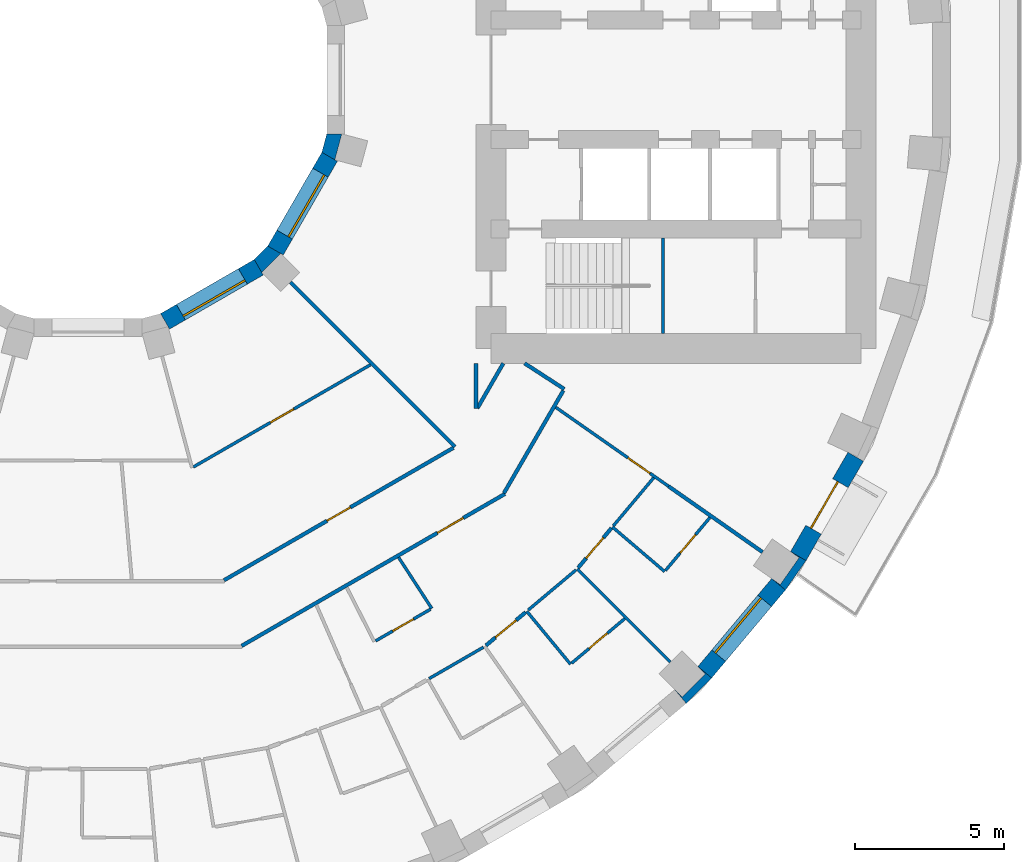
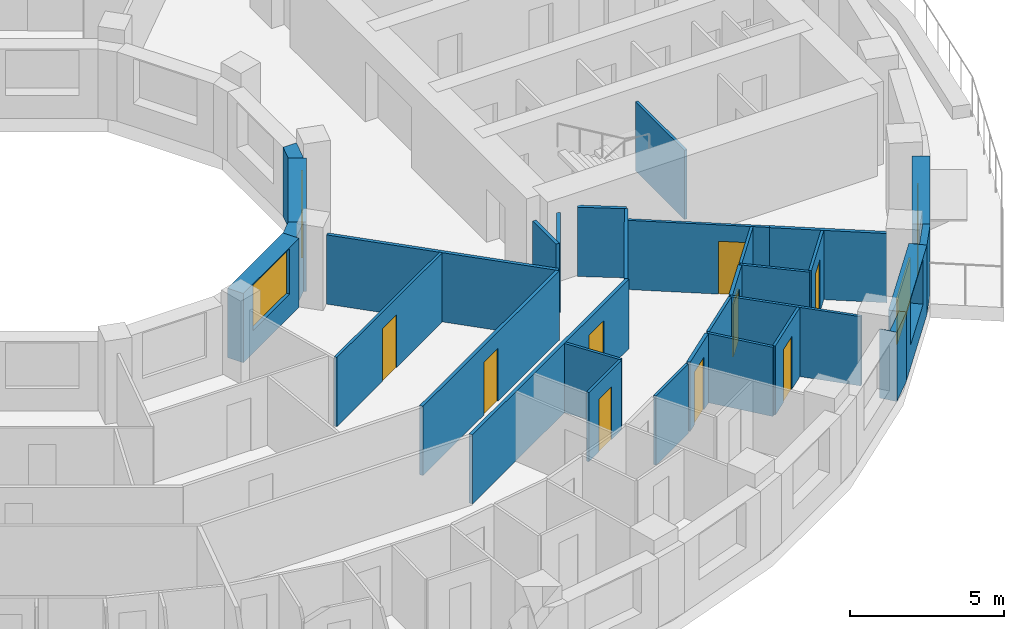
# One storey, part 6 of 14: 31 walls, 10 doors, 3 windows, 13 openings.
"""IFC4 building model written with IfcOpenShell, lengths in metres."""

from ifc_helpers import new_model, si_unit, direction, frame, frame_2d, origin, place, context, subcontext, project, spatial, polyline, rectangle, outline, extrude, material, layer, layer_set, type_object, element, fill, save


model = new_model("IFC4")

# Units and contexts
model_context = context("Model", 3, precision=1e-05, world=origin(), true_north=direction((0.0, 1.0)))
body_context = subcontext(model_context, "Body", "Model", "MODEL_VIEW")
ifc_project = project(units=[si_unit("LENGTHUNIT", "METRE"), si_unit("AREAUNIT", "SQUARE_METRE"), si_unit("VOLUMEUNIT", "CUBIC_METRE"), si_unit("PLANEANGLEUNIT", "RADIAN"), si_unit("MASSUNIT", "GRAM", prefix="KILO")], contexts=[model_context])

# Site, building, storey
site_placement = place(None, origin())
site = spatial("IfcSite", under=ifc_project, at=site_placement, CompositionType="ELEMENT")
building_placement = place(site_placement, origin())
building = spatial("IfcBuilding", under=site, at=building_placement, Name="Saqina Gate Tower", CompositionType="ELEMENT")
storey_placement = place(building_placement, frame((0.0, 0.0, 52.699951171875)))
storey = spatial("IfcBuildingStorey", under=building, at=storey_placement, Name="L14", CompositionType="ELEMENT", Elevation=52.699951171875)

# Walls
ifc_material_1 = material(Name="Brick masonry (red)", Category="masonry")
wall_type_1 = type_object("IfcWallType", Name="BRICK PIER COPING RED", PredefinedType="SOLIDWALL", material=ifc_material_1)
wall_1_placement = place(storey_placement, origin())
element("IfcWall", 1, at=wall_1_placement, inside=storey, type_object=wall_type_1, Name="Pier cap L14 column 32", PredefinedType="SOLIDWALL", context=body_context, shape_type="SweptSolid", body=[
    extrude(outline(polyline([(20.894775390625, -20.04296875), (20.43505859375, -19.6572265625), (20.682861328125, -19.905029296875), (19.905029296875, -20.682861328125), (19.6572265625, -20.43505859375), (20.04296875, -20.894775390625), (20.894775390625, -20.04296875)])), origin(), (0.0, 0.0, 1.0), 2.75),
])
wall_2_placement = place(storey_placement, origin())
element("IfcWall", 2, at=wall_2_placement, inside=storey, type_object=wall_type_1, Name="Pier cap L14 column 33", PredefinedType="SOLIDWALL", context=body_context, shape_type="SweptSolid", body=[
    extrude(outline(polyline([(23.36669921875, -17.096923828125), (24.0576171875, -16.110107421875), (23.5380859375, -15.81005859375), (23.8251953125, -16.010986328125), (23.194091796875, -16.912109375), (22.9072265625, -16.711181640625), (23.36669921875, -17.096923828125)])), origin(), (0.0, 0.0, 1.0), 2.75),
])

# Wall, opening, window
ifc_material_2 = material(Name="Brick masonry (red)", Category="masonry")
ifc_layer_1 = layer(ifc_material_2, 0.60009765625)
ifc_layer_set_1 = layer_set([ifc_layer_1], Name="FW-BRICK-RED")
wall_type_2 = type_object("IfcWallType", Name="FW-BRICK-RED", PredefinedType="SOLIDWALL", material=ifc_layer_set_1)
wall_3_placement = place(storey_placement, frame((20.664794921875, -19.85009765625, 0.0), z_axis=(0.0, 0.0, 1.0), x_axis=(0.642809392687, 0.766026164483, 0.0)))
wall_3 = element("IfcWall", 3, at=wall_3_placement, inside=storey, type_object=wall_type_2, Name="Facade wall L14 facet 32", PredefinedType="SOLIDWALL", context=body_context, shape_type="SweptSolid", body=[
    extrude(rectangle(XDim=3.845947265625, YDim=0.60009765625, at=frame_2d((1.9228515625, 0.0))), origin(), (0.0, 0.0, 1.0), 2.75),
])
opening_1_placement = place(wall_3_placement, frame((0.722900390625, 0.0, 0.89990234375)))
opening_1 = element("IfcOpeningElement", 4, at=opening_1_placement, cuts=wall_3, Name="Opening G03-W25", PredefinedType="OPENING", context=body_context, shape_type="SweptSolid", body=[
    extrude(rectangle(XDim=2.39990234375, YDim=1.800048828125, at=frame_2d((1.199951171875, 0.89990234375))), frame((0.0, 0.31201171875, 0.0), z_axis=(0.0, -1.0, 0.0), x_axis=(1.0, 0.0, 0.0)), (0.0, 0.0, 1.0), 0.6240234375),
])
ifc_material_3 = material(Name="Aluminium glazing", Category="aluminium")
window_type_1 = type_object("IfcWindowType", Name="WN-A", PartitioningType="SINGLE_PANEL", PredefinedType="WINDOW", material=ifc_material_3)
window_1_placement = place(opening_1_placement, origin())
window_1 = element("IfcWindow", 5, at=window_1_placement, inside=storey, type_object=window_type_1, Name="Window L14 facet 32", OverallHeight=1.800048828125, OverallWidth=2.39990234375, PartitioningType="SINGLE_PANEL", PredefinedType="WINDOW", context=body_context, shape_type="SweptSolid", body=[
    extrude(rectangle(XDim=2.39990234375, YDim=1.800048828125, at=frame_2d((1.199951171875, 0.89990234375))), frame((0.0, 0.179931640625, 0.0), z_axis=(0.0, -1.0, 0.0), x_axis=(1.0, 0.0, 0.0)), (0.0, 0.0, 1.0), 0.06005859375),
])
fill(opening_1, window_1)

# Wall, opening, door
wall_4_placement = place(storey_placement, frame((23.7978515625, -15.960205078125, 0.0), z_axis=(0.0, 0.0, 1.0), x_axis=(0.499989888488, 0.86603124159, 0.0)))
wall_4 = element("IfcWall", 6, at=wall_4_placement, inside=storey, type_object=wall_type_2, Name="Facade wall L14 facet 33", PredefinedType="SOLIDWALL", context=body_context, shape_type="SweptSolid", body=[
    extrude(rectangle(XDim=3.845703125, YDim=0.60009765625, at=frame_2d((1.9228515625, 0.0))), origin(), (0.0, 0.0, 1.0), 2.75),
])
opening_2_placement = place(wall_4_placement, frame((1.02294921875, 0.0, 0.0)))
opening_2 = element("IfcOpeningElement", 7, at=opening_2_placement, cuts=wall_4, Name="Opening G03-D80", PredefinedType="OPENING", context=body_context, shape_type="SweptSolid", body=[
    extrude(rectangle(XDim=1.800048828125, YDim=2.39990234375, at=frame_2d((0.89990234375, 1.199951171875))), frame((0.0, 0.31201171875, 0.0), z_axis=(0.0, -1.0, 0.0), x_axis=(1.0, 0.0, 0.0)), (0.0, 0.0, 1.0), 0.6240234375),
])
ifc_material_4 = material(Name="Aluminium glazing", Category="aluminium")
door_type_1 = type_object("IfcDoorType", Name="GD-A", OperationType="DOUBLE_DOOR_SINGLE_SWING", PredefinedType="DOOR", material=ifc_material_4)
door_1_placement = place(opening_2_placement, frame((1.800048828125, 0.0, 0.0), z_axis=(0.0, 0.0, 1.0), x_axis=(-1.0, 0.0, 0.0)))
door_1 = element("IfcDoor", 8, at=door_1_placement, inside=storey, type_object=door_type_1, Name="Terrace door L14 facet 33", OperationType="DOUBLE_DOOR_SINGLE_SWING", OverallHeight=2.39990234375, OverallWidth=1.800048828125, PredefinedType="DOOR", context=body_context, shape_type="SweptSolid", body=[
    extrude(rectangle(XDim=1.800048828125, YDim=2.39990234375, at=frame_2d((0.89990234375, 1.199951171875))), frame((0.0, -0.0751953125, 0.0), z_axis=(0.0, -1.0, 0.0), x_axis=(1.0, 0.0, 0.0)), (0.0, 0.0, 1.0), 0.050048828125),
])
fill(opening_2, door_1)

# Wall, opening, window
ifc_material_5 = material(Name="Glazed ceramic tile", Category="ceramic")
ifc_layer_2 = layer(ifc_material_5, 0.60009765625)
ifc_layer_set_2 = layer_set([ifc_layer_2], Name="IW-TILE")
wall_type_3 = type_object("IfcWallType", Name="IW-TILE", PredefinedType="SOLIDWALL", material=ifc_layer_set_2)
wall_5_placement = place(storey_placement, frame((2.580322265625, -8.09423828125, 0.0), z_axis=(0.0, 0.0, 1.0), x_axis=(0.866029693906, 0.499992569217, 0.0)))
wall_5 = element("IfcWall", 9, at=wall_5_placement, inside=storey, type_object=wall_type_3, Name="Well wall L14 facet 10", PredefinedType="SOLIDWALL", context=body_context, shape_type="SweptSolid", body=[
    extrude(rectangle(XDim=3.625, YDim=0.60009765625, at=frame_2d((1.8125, 0.0))), origin(), (0.0, 0.0, 1.0), 2.75),
])
opening_3_placement = place(wall_5_placement, frame((0.612548828125, 0.0, 0.89990234375)))
opening_3 = element("IfcOpeningElement", 10, at=opening_3_placement, cuts=wall_5, Name="Opening G03-W35", PredefinedType="OPENING", context=body_context, shape_type="SweptSolid", body=[
    extrude(rectangle(XDim=2.39990234375, YDim=1.800048828125, at=frame_2d((1.199951171875, 0.89990234375))), frame((0.0, 0.31201171875, 0.0), z_axis=(0.0, -1.0, 0.0), x_axis=(1.0, 0.0, 0.0)), (0.0, 0.0, 1.0), 0.6240234375),
])
ifc_material_6 = material(Name="Aluminium glazing", Category="aluminium")
window_type_2 = type_object("IfcWindowType", Name="WN-W", PartitioningType="SINGLE_PANEL", PredefinedType="WINDOW", material=ifc_material_6)
window_2_placement = place(opening_3_placement, origin())
window_2 = element("IfcWindow", 11, at=window_2_placement, inside=storey, type_object=window_type_2, Name="Well window L14 facet 10", OverallHeight=1.800048828125, OverallWidth=2.39990234375, PartitioningType="SINGLE_PANEL", PredefinedType="WINDOW", context=body_context, shape_type="SweptSolid", body=[
    extrude(rectangle(XDim=2.39990234375, YDim=1.800048828125, at=frame_2d((1.199951171875, 0.89990234375))), frame((0.0, -0.119873046875, 0.0), z_axis=(0.0, -1.0, 0.0), x_axis=(1.0, 0.0, 0.0)), (0.0, 0.0, 1.0), 0.06005859375),
])
fill(opening_3, window_2)

wall_6_placement = place(storey_placement, frame((6.28173828125, -5.7197265625, 0.0), z_axis=(0.0, 0.0, 1.0), x_axis=(0.499992569217, 0.866029693906, 0.0)))
wall_6 = element("IfcWall", 12, at=wall_6_placement, inside=storey, type_object=wall_type_3, Name="Well wall L14 facet 11", PredefinedType="SOLIDWALL", context=body_context, shape_type="SweptSolid", body=[
    extrude(rectangle(XDim=3.625, YDim=0.60009765625, at=frame_2d((1.8125, 0.0))), origin(), (0.0, 0.0, 1.0), 2.75),
])
opening_4_placement = place(wall_6_placement, frame((0.612548828125, 0.0, 0.89990234375)))
opening_4 = element("IfcOpeningElement", 13, at=opening_4_placement, cuts=wall_6, Name="Opening G03-W36", PredefinedType="OPENING", context=body_context, shape_type="SweptSolid", body=[
    extrude(rectangle(XDim=2.39990234375, YDim=1.800048828125, at=frame_2d((1.199951171875, 0.89990234375))), frame((0.0, 0.31201171875, 0.0), z_axis=(0.0, -1.0, 0.0), x_axis=(1.0, 0.0, 0.0)), (0.0, 0.0, 1.0), 0.6240234375),
])
window_3_placement = place(opening_4_placement, origin())
window_3 = element("IfcWindow", 14, at=window_3_placement, inside=storey, type_object=window_type_2, Name="Well window L14 facet 11", OverallHeight=1.800048828125, OverallWidth=2.39990234375, PartitioningType="SINGLE_PANEL", PredefinedType="WINDOW", context=body_context, shape_type="SweptSolid", body=[
    extrude(rectangle(XDim=2.39990234375, YDim=1.800048828125, at=frame_2d((1.199951171875, 0.89990234375))), frame((0.0, -0.119873046875, 0.0), z_axis=(0.0, -1.0, 0.0), x_axis=(1.0, 0.0, 0.0)), (0.0, 0.0, 1.0), 0.06005859375),
])
fill(opening_4, window_3)

# Walls
ifc_material_7 = material(Name="Gypsum board on steel studs, 100 mm", Category="steel")
ifc_layer_3 = layer(ifc_material_7, 0.10009765625)
ifc_layer_set_3 = layer_set([ifc_layer_3], Name="PARTITION 100")
wall_type_4 = type_object("IfcWallType", Name="PARTITION 100", PredefinedType="PARTITIONING", material=ifc_layer_set_3)
wall_7_placement = place(storey_placement, frame((10.406005859375, -16.00341796875, 0.0), z_axis=(0.0, 0.0, 1.0), x_axis=(0.545026202076, -0.838419011623, 0.0)))
element("IfcWall", 15, at=wall_7_placement, inside=storey, type_object=wall_type_4, Name="PARTITION PW3-23", PredefinedType="PARTITIONING", context=body_context, shape_type="SweptSolid", body=[
    extrude(rectangle(XDim=2.040283203125, YDim=0.10009765625, at=frame_2d((1.02001953125, 0.0))), origin(), (0.0, 0.0, 1.0), 2.75),
])
wall_8_placement = place(storey_placement, frame((14.699951171875, -17.806884765625, 0.0), z_axis=(0.0, 0.0, 1.0), x_axis=(0.636700344293, -0.771111322428, 0.0)))
element("IfcWall", 16, at=wall_8_placement, inside=storey, type_object=wall_type_4, Name="PARTITION PW3-27", PredefinedType="PARTITIONING", context=body_context, shape_type="SweptSolid", body=[
    extrude(rectangle(XDim=2.299560546875, YDim=0.10009765625, at=frame_2d((1.14990234375, 0.0))), origin(), (0.0, 0.0, 1.0), 2.75),
])
wall_9_placement = place(storey_placement, frame((16.388916015625, -16.388916015625, 0.0), z_axis=(0.0, 0.0, 1.0), x_axis=(0.707106781187, -0.707106781187, 0.0)))
element("IfcWall", 17, at=wall_9_placement, inside=storey, type_object=wall_type_4, Name="PARTITION PW3-34", PredefinedType="PARTITIONING", context=body_context, shape_type="SweptSolid", body=[
    extrude(rectangle(XDim=4.41259765625, YDim=0.10009765625, at=frame_2d((2.206298828125, 0.0))), origin(), (0.0, 0.0, 1.0), 2.75),
])
wall_10_placement = place(storey_placement, frame((17.569091796875, -14.98291015625, 0.0), z_axis=(0.0, 0.0, 1.0), x_axis=(0.760722977127, -0.649076691979, 0.0)))
element("IfcWall", 18, at=wall_10_placement, inside=storey, type_object=wall_type_4, Name="PARTITION PW3-37", PredefinedType="PARTITIONING", context=body_context, shape_type="SweptSolid", body=[
    extrude(rectangle(XDim=2.300537109375, YDim=0.10009765625, at=frame_2d((1.150390625, 0.0))), origin(), (0.0, 0.0, 1.0), 2.75),
])

# Wall, opening, door
wall_11_placement = place(storey_placement, frame((15.674560546875, -10.9755859375, 0.0), z_axis=(0.0, 0.0, 1.0), x_axis=(0.819202093006, -0.573504952737, 0.0)))
wall_11 = element("IfcWall", 19, at=wall_11_placement, inside=storey, type_object=wall_type_4, Name="PARTITION PW3-42", PredefinedType="PARTITIONING", context=body_context, shape_type="SweptSolid", body=[
    extrude(rectangle(XDim=4.614501953125, YDim=0.10009765625, at=frame_2d((2.30712890625, 0.0))), origin(), (0.0, 0.0, 1.0), 2.75),
])
opening_5_placement = place(wall_11_placement, frame((2.94921875, 0.0, 0.0)))
opening_5 = element("IfcOpeningElement", 20, at=opening_5_placement, cuts=wall_11, Name="Opening G03-D75", PredefinedType="OPENING", context=body_context, shape_type="SweptSolid", body=[
    extrude(rectangle(XDim=0.89990234375, YDim=2.10009765625, at=frame_2d((0.449951171875, 1.050048828125))), frame((0.0, 0.06201171875, 0.0), z_axis=(0.0, -1.0, 0.0), x_axis=(1.0, 0.0, 0.0)), (0.0, 0.0, 1.0), 0.1240234375),
])
ifc_material_8 = material(Name="Timber door leaf, 900 mm", Category="wood")
door_type_2 = type_object("IfcDoorType", Name="DOOR 900 TIMBER", OperationType="SINGLE_SWING_LEFT", PredefinedType="DOOR", material=ifc_material_8)
door_2_placement = place(opening_5_placement, origin())
door_2 = element("IfcDoor", 21, at=door_2_placement, inside=storey, type_object=door_type_2, Name="DOOR G03-D75", OperationType="SINGLE_SWING_RIGHT", OverallHeight=2.10009765625, OverallWidth=0.89990234375, PredefinedType="DOOR", context=body_context, shape_type="SweptSolid", body=[
    extrude(rectangle(XDim=0.89990234375, YDim=2.10009765625, at=frame_2d((0.449951171875, 1.050048828125))), frame((0.0, 0.02490234375, 0.0), z_axis=(0.0, -1.0, 0.0), x_axis=(1.0, 0.0, 0.0)), (0.0, 0.0, 1.0), 0.050048828125),
])
fill(opening_5, door_2)

# Wall
wall_12_placement = place(storey_placement, frame((11.42822265625, -20.06396484375, 0.0), z_axis=(0.0, 0.0, 1.0), x_axis=(0.865870655861, 0.50026793553, 0.0)))
element("IfcWall", 22, at=wall_12_placement, inside=storey, type_object=wall_type_4, Name="PARTITION PW3-80", PredefinedType="PARTITIONING", context=body_context, shape_type="SweptSolid", body=[
    extrude(rectangle(XDim=2.104736328125, YDim=0.10009765625, at=frame_2d((1.05224609375, 0.0))), origin(), (0.0, 0.0, 1.0), 2.75),
])

# Wall, opening, door
wall_13_placement = place(storey_placement, frame((9.63525390625, -18.801025390625, 0.0), z_axis=(0.0, 0.0, 1.0), x_axis=(0.866013304951, 0.500020955208, 0.0)))
wall_13 = element("IfcWall", 23, at=wall_13_placement, inside=storey, type_object=wall_type_4, Name="PARTITION PW3-81", PredefinedType="PARTITIONING", context=body_context, shape_type="SweptSolid", body=[
    extrude(rectangle(XDim=2.1240234375, YDim=0.10009765625, at=frame_2d((1.06201171875, 0.0))), origin(), (0.0, 0.0, 1.0), 2.75),
])
opening_6_placement = place(wall_13_placement, frame((0.662109375, 0.0, 0.0)))
opening_6 = element("IfcOpeningElement", 24, at=opening_6_placement, cuts=wall_13, Name="Opening G03-D68", PredefinedType="OPENING", context=body_context, shape_type="SweptSolid", body=[
    extrude(rectangle(XDim=0.800048828125, YDim=2.10009765625, at=frame_2d((0.39990234375, 1.050048828125))), frame((0.0, 0.06201171875, 0.0), z_axis=(0.0, -1.0, 0.0), x_axis=(1.0, 0.0, 0.0)), (0.0, 0.0, 1.0), 0.1240234375),
])
ifc_material_9 = material(Name="Timber door leaf, 800 mm", Category="wood")
door_type_3 = type_object("IfcDoorType", Name="DOOR 800 TIMBER", OperationType="SINGLE_SWING_LEFT", PredefinedType="DOOR", material=ifc_material_9)
door_3_placement = place(opening_6_placement, frame((0.800048828125, 0.0, 0.0), z_axis=(0.0, 0.0, 1.0), x_axis=(-1.0, 0.0, 0.0)))
door_3 = element("IfcDoor", 25, at=door_3_placement, inside=storey, type_object=door_type_3, Name="DOOR G03-D68", OperationType="SINGLE_SWING_LEFT", OverallHeight=2.10009765625, OverallWidth=0.800048828125, PredefinedType="DOOR", context=body_context, shape_type="SweptSolid", body=[
    extrude(rectangle(XDim=0.800048828125, YDim=2.10009765625, at=frame_2d((0.39990234375, 1.050048828125))), frame((0.0, 0.02490234375, 0.0), z_axis=(0.0, -1.0, 0.0), x_axis=(1.0, 0.0, 0.0)), (0.0, 0.0, 1.0), 0.050048828125),
])
fill(opening_6, door_3)

wall_14_placement = place(storey_placement, frame((3.5263671875, -12.97509765625, 0.0), z_axis=(0.0, 0.0, 1.0), x_axis=(0.866069342035, 0.499923888995, 0.0)))
wall_14 = element("IfcWall", 26, at=wall_14_placement, inside=storey, type_object=wall_type_4, Name="PARTITION PW3-82", PredefinedType="PARTITIONING", context=body_context, shape_type="SweptSolid", body=[
    extrude(rectangle(XDim=6.8544921875, YDim=0.10009765625, at=frame_2d((3.42724609375, 0.0))), origin(), (0.0, 0.0, 1.0), 2.75),
])
opening_7_placement = place(wall_14_placement, frame((2.9833984375, 0.0, 0.0)))
opening_7 = element("IfcOpeningElement", 27, at=opening_7_placement, cuts=wall_14, Name="Opening G03-D66", PredefinedType="OPENING", context=body_context, shape_type="SweptSolid", body=[
    extrude(rectangle(XDim=0.89990234375, YDim=2.10009765625, at=frame_2d((0.449951171875, 1.050048828125))), frame((0.0, 0.06201171875, 0.0), z_axis=(0.0, -1.0, 0.0), x_axis=(1.0, 0.0, 0.0)), (0.0, 0.0, 1.0), 0.1240234375),
])
door_4_placement = place(opening_7_placement, frame((0.89990234375, 0.0, 0.0), z_axis=(0.0, 0.0, 1.0), x_axis=(-1.0, 0.0, 0.0)))
door_4 = element("IfcDoor", 28, at=door_4_placement, inside=storey, type_object=door_type_2, Name="DOOR G03-D66", OperationType="SINGLE_SWING_LEFT", OverallHeight=2.10009765625, OverallWidth=0.89990234375, PredefinedType="DOOR", context=body_context, shape_type="SweptSolid", body=[
    extrude(rectangle(XDim=0.89990234375, YDim=2.10009765625, at=frame_2d((0.449951171875, 1.050048828125))), frame((0.0, 0.02490234375, 0.0), z_axis=(0.0, -1.0, 0.0), x_axis=(1.0, 0.0, 0.0)), (0.0, 0.0, 1.0), 0.050048828125),
])
fill(opening_7, door_4)

wall_15_placement = place(storey_placement, frame((16.202392578125, -19.5478515625, 0.0), z_axis=(0.0, 0.0, 1.0), x_axis=(0.766254925891, 0.642536682648, 0.0)))
wall_15 = element("IfcWall", 29, at=wall_15_placement, inside=storey, type_object=wall_type_4, Name="PARTITION PW3-92", PredefinedType="PARTITIONING", context=body_context, shape_type="SweptSolid", body=[
    extrude(rectangle(XDim=2.32470703125, YDim=0.10009765625, at=frame_2d((1.162353515625, 0.0))), origin(), (0.0, 0.0, 1.0), 2.75),
])
opening_8_placement = place(wall_15_placement, frame((0.762451171875, 0.0, 0.0)))
opening_8 = element("IfcOpeningElement", 30, at=opening_8_placement, cuts=wall_15, Name="Opening G03-D72", PredefinedType="OPENING", context=body_context, shape_type="SweptSolid", body=[
    extrude(rectangle(XDim=0.800048828125, YDim=2.10009765625, at=frame_2d((0.39990234375, 1.050048828125))), frame((0.0, 0.06201171875, 0.0), z_axis=(0.0, -1.0, 0.0), x_axis=(1.0, 0.0, 0.0)), (0.0, 0.0, 1.0), 0.1240234375),
])
door_5_placement = place(opening_8_placement, frame((0.800048828125, 0.0, 0.0), z_axis=(0.0, 0.0, 1.0), x_axis=(-1.0, 0.0, 0.0)))
door_5 = element("IfcDoor", 31, at=door_5_placement, inside=storey, type_object=door_type_3, Name="DOOR G03-D72", OperationType="SINGLE_SWING_LEFT", OverallHeight=2.10009765625, OverallWidth=0.800048828125, PredefinedType="DOOR", context=body_context, shape_type="SweptSolid", body=[
    extrude(rectangle(XDim=0.800048828125, YDim=2.10009765625, at=frame_2d((0.39990234375, 1.050048828125))), frame((0.0, 0.02490234375, 0.0), z_axis=(0.0, -1.0, 0.0), x_axis=(1.0, 0.0, 0.0)), (0.0, 0.0, 1.0), 0.050048828125),
])
fill(opening_8, door_5)

# Wall
wall_16_placement = place(storey_placement, frame((14.747802734375, -17.766845703125, 0.0), z_axis=(0.0, 0.0, 1.0), x_axis=(0.765854222204, 0.643014238048, 0.0)))
element("IfcWall", 32, at=wall_16_placement, inside=storey, type_object=wall_type_4, Name="PARTITION PW3-93", PredefinedType="PARTITIONING", context=body_context, shape_type="SweptSolid", body=[
    extrude(rectangle(XDim=2.0927734375, YDim=0.10009765625, at=frame_2d((1.04638671875, 0.0))), origin(), (0.0, 0.0, 1.0), 2.75),
])

# Wall, opening, door
wall_17_placement = place(storey_placement, frame((19.35107421875, -16.437744140625, 0.0), z_axis=(0.0, 0.0, 1.0), x_axis=(0.642780417595, 0.766050477943, 0.0)))
wall_17 = element("IfcWall", 33, at=wall_17_placement, inside=storey, type_object=wall_type_4, Name="PARTITION PW3-101", PredefinedType="PARTITIONING", context=body_context, shape_type="SweptSolid", body=[
    extrude(rectangle(XDim=2.309326171875, YDim=0.10009765625, at=frame_2d((1.15478515625, 0.0))), origin(), (0.0, 0.0, 1.0), 2.75),
])
opening_9_placement = place(wall_17_placement, frame((0.761962890625, 0.0, 0.0)))
opening_9 = element("IfcOpeningElement", 34, at=opening_9_placement, cuts=wall_17, Name="Opening G03-D74", PredefinedType="OPENING", context=body_context, shape_type="SweptSolid", body=[
    extrude(rectangle(XDim=0.800048828125, YDim=2.10009765625, at=frame_2d((0.39990234375, 1.050048828125))), frame((0.0, 0.06201171875, 0.0), z_axis=(0.0, -1.0, 0.0), x_axis=(1.0, 0.0, 0.0)), (0.0, 0.0, 1.0), 0.1240234375),
])
door_6_placement = place(opening_9_placement, frame((0.800048828125, 0.0, 0.0), z_axis=(0.0, 0.0, 1.0), x_axis=(-1.0, 0.0, 0.0)))
door_6 = element("IfcDoor", 35, at=door_6_placement, inside=storey, type_object=door_type_3, Name="DOOR G03-D74", OperationType="SINGLE_SWING_LEFT", OverallHeight=2.10009765625, OverallWidth=0.800048828125, PredefinedType="DOOR", context=body_context, shape_type="SweptSolid", body=[
    extrude(rectangle(XDim=0.800048828125, YDim=2.10009765625, at=frame_2d((0.39990234375, 1.050048828125))), frame((0.0, 0.02490234375, 0.0), z_axis=(0.0, -1.0, 0.0), x_axis=(1.0, 0.0, 0.0)), (0.0, 0.0, 1.0), 0.050048828125),
])
fill(opening_9, door_6)

# Walls
wall_18_placement = place(storey_placement, frame((17.60107421875, -14.944580078125, 0.0), z_axis=(0.0, 0.0, 1.0), x_axis=(0.642816551594, 0.766020157043, 0.0)))
element("IfcWall", 36, at=wall_18_placement, inside=storey, type_object=wall_type_4, Name="PARTITION PW3-102", PredefinedType="PARTITIONING", context=body_context, shape_type="SweptSolid", body=[
    extrude(rectangle(XDim=2.1044921875, YDim=0.10009765625, at=frame_2d((1.05224609375, 0.0))), origin(), (0.0, 0.0, 1.0), 2.75),
])
ifc_material_10 = material(Name="Gypsum board on steel studs, 125 mm, fire rated", Category="steel")
ifc_layer_4 = layer(ifc_material_10, 0.125)
ifc_layer_set_4 = layer_set([ifc_layer_4], Name="PARTITION EI 30 125")
wall_type_5 = type_object("IfcWallType", Name="PARTITION EI 30 125", PredefinedType="PARTITIONING", material=ifc_layer_set_4)
wall_19_placement = place(storey_placement, frame((6.78271484375, -6.78271484375, 0.0), z_axis=(0.0, 0.0, 1.0), x_axis=(0.707106781187, -0.707106781187, 0.0)))
element("IfcWall", 37, at=wall_19_placement, inside=storey, type_object=wall_type_5, Name="PARTITION PW1-07", PredefinedType="PARTITIONING", context=body_context, shape_type="SweptSolid", body=[
    extrude(rectangle(XDim=7.7998046875, YDim=0.125, at=frame_2d((3.89990234375, 0.0))), origin(), (0.0, 0.0, 1.0), 2.75),
])
wall_20_placement = place(storey_placement, frame((19.4541015625, -13.623291015625, 0.0), z_axis=(0.0, 0.0, 1.0), x_axis=(0.819318529686, -0.573338597091, 0.0)))
element("IfcWall", 38, at=wall_20_placement, inside=storey, type_object=wall_type_5, Name="PARTITION PW1-09", PredefinedType="PARTITIONING", context=body_context, shape_type="SweptSolid", body=[
    extrude(rectangle(XDim=3.840087890625, YDim=0.125, at=frame_2d((1.919921875, 0.0))), origin(), (0.0, 0.0, 1.0), 2.75),
])
wall_21_placement = place(storey_placement, frame((14.62890625, -9.5, 0.0), z_axis=(0.0, 0.0, 1.0), x_axis=(0.838795721465, -0.544446267002, 0.0)))
element("IfcWall", 39, at=wall_21_placement, inside=storey, type_object=wall_type_5, Name="PARTITION PW1-11", PredefinedType="PARTITIONING", context=body_context, shape_type="SweptSolid", body=[
    extrude(rectangle(XDim=1.583251953125, YDim=0.125, at=frame_2d((0.79150390625, 0.0))), origin(), (0.0, 0.0, 1.0), 2.75),
])

# Wall, opening, door
wall_22_placement = place(storey_placement, frame((5.14501953125, -18.96875, 0.0), z_axis=(0.0, 0.0, 1.0), x_axis=(0.866035198373, 0.499983034892, 0.0)))
wall_22 = element("IfcWall", 40, at=wall_22_placement, inside=storey, type_object=wall_type_5, Name="PARTITION PW1-36", PredefinedType="PARTITIONING", context=body_context, shape_type="SweptSolid", body=[
    extrude(rectangle(XDim=10.191650390625, YDim=0.125, at=frame_2d((5.095703125, 0.0))), origin(), (0.0, 0.0, 1.0), 2.75),
])
opening_10_placement = place(wall_22_placement, frame((7.577392578125, 0.0, 0.0)))
opening_10 = element("IfcOpeningElement", 41, at=opening_10_placement, cuts=wall_22, Name="Opening G03-D71", PredefinedType="OPENING", context=body_context, shape_type="SweptSolid", body=[
    extrude(rectangle(XDim=1.0, YDim=2.10009765625, at=frame_2d((0.5, 1.050048828125))), frame((0.0, 0.074462890625, 0.0), z_axis=(0.0, -1.0, 0.0), x_axis=(1.0, 0.0, 0.0)), (0.0, 0.0, 1.0), 0.14892578125),
])
ifc_material_11 = material(Name="Fire door leaf EI 30, 1000 mm")
door_type_4 = type_object("IfcDoorType", Name="DOOR 1000 EI 30", OperationType="SINGLE_SWING_LEFT", PredefinedType="DOOR", material=ifc_material_11)
door_7_placement = place(opening_10_placement, frame((1.0, 0.0, 0.0), z_axis=(0.0, 0.0, 1.0), x_axis=(-1.0, 0.0, 0.0)))
door_7 = element("IfcDoor", 42, at=door_7_placement, inside=storey, type_object=door_type_4, Name="DOOR G03-D71", OperationType="SINGLE_SWING_LEFT", OverallHeight=2.10009765625, OverallWidth=1.0, PredefinedType="DOOR", context=body_context, shape_type="SweptSolid", body=[
    extrude(rectangle(XDim=1.0, YDim=2.10009765625, at=frame_2d((0.5, 1.050048828125))), frame((0.0, 0.02490234375, 0.0), z_axis=(0.0, -1.0, 0.0), x_axis=(1.0, 0.0, 0.0)), (0.0, 0.0, 1.0), 0.050048828125),
])
fill(opening_10, door_7)

wall_23_placement = place(storey_placement, frame((4.55615234375, -16.768798828125, 0.0), z_axis=(0.0, 0.0, 1.0), x_axis=(0.865979941794, 0.500078734211, 0.0)))
wall_23 = element("IfcWall", 43, at=wall_23_placement, inside=storey, type_object=wall_type_5, Name="PARTITION PW1-37", PredefinedType="PARTITIONING", context=body_context, shape_type="SweptSolid", body=[
    extrude(rectangle(XDim=8.87744140625, YDim=0.125, at=frame_2d((4.438720703125, 0.0))), origin(), (0.0, 0.0, 1.0), 2.75),
])
opening_11_placement = place(wall_23_placement, frame((3.98876953125, 0.0, 0.0)))
opening_11 = element("IfcOpeningElement", 44, at=opening_11_placement, cuts=wall_23, Name="Opening G03-D67", PredefinedType="OPENING", context=body_context, shape_type="SweptSolid", body=[
    extrude(rectangle(XDim=0.89990234375, YDim=2.10009765625, at=frame_2d((0.449951171875, 1.050048828125))), frame((0.0, 0.074462890625, 0.0), z_axis=(0.0, -1.0, 0.0), x_axis=(1.0, 0.0, 0.0)), (0.0, 0.0, 1.0), 0.14892578125),
])
ifc_material_12 = material(Name="Fire door leaf EI 30, 900 mm")
door_type_5 = type_object("IfcDoorType", Name="DOOR 900 EI 30", OperationType="SINGLE_SWING_LEFT", PredefinedType="DOOR", material=ifc_material_12)
door_8_placement = place(opening_11_placement, origin())
door_8 = element("IfcDoor", 45, at=door_8_placement, inside=storey, type_object=door_type_5, Name="DOOR G03-D67", OperationType="SINGLE_SWING_RIGHT", OverallHeight=2.10009765625, OverallWidth=0.89990234375, PredefinedType="DOOR", context=body_context, shape_type="SweptSolid", body=[
    extrude(rectangle(XDim=0.89990234375, YDim=2.10009765625, at=frame_2d((0.449951171875, 1.050048828125))), frame((0.0, 0.02490234375, 0.0), z_axis=(0.0, -1.0, 0.0), x_axis=(1.0, 0.0, 0.0)), (0.0, 0.0, 1.0), 0.050048828125),
])
fill(opening_11, door_8)

wall_24_placement = place(storey_placement, frame((13.331787109375, -18.953369140625, 0.0), z_axis=(0.0, 0.0, 1.0), x_axis=(0.766881682313, 0.641788505143, 0.0)))
wall_24 = element("IfcWall", 46, at=wall_24_placement, inside=storey, type_object=wall_type_5, Name="PARTITION PW1-45", PredefinedType="PARTITIONING", context=body_context, shape_type="SweptSolid", body=[
    extrude(rectangle(XDim=1.735107421875, YDim=0.125, at=frame_2d((0.86767578125, 0.0))), origin(), (0.0, 0.0, 1.0), 2.75),
])
opening_12_placement = place(wall_24_placement, frame((0.41748046875, 0.0, 0.0)))
opening_12 = element("IfcOpeningElement", 47, at=opening_12_placement, cuts=wall_24, Name="Opening G03-D70", PredefinedType="OPENING", context=body_context, shape_type="SweptSolid", body=[
    extrude(rectangle(XDim=0.89990234375, YDim=2.10009765625, at=frame_2d((0.449951171875, 1.050048828125))), frame((0.0, 0.074462890625, 0.0), z_axis=(0.0, -1.0, 0.0), x_axis=(1.0, 0.0, 0.0)), (0.0, 0.0, 1.0), 0.14892578125),
])
door_9_placement = place(opening_12_placement, origin())
door_9 = element("IfcDoor", 48, at=door_9_placement, inside=storey, type_object=door_type_5, Name="DOOR G03-D70", OperationType="SINGLE_SWING_LEFT", OverallHeight=2.10009765625, OverallWidth=0.89990234375, PredefinedType="DOOR", context=body_context, shape_type="SweptSolid", body=[
    extrude(rectangle(XDim=0.89990234375, YDim=2.10009765625, at=frame_2d((0.449951171875, 1.050048828125))), frame((0.0, 0.02490234375, 0.0), z_axis=(0.0, -1.0, 0.0), x_axis=(1.0, 0.0, 0.0)), (0.0, 0.0, 1.0), 0.050048828125),
])
fill(opening_12, door_9)

wall_25_placement = place(storey_placement, frame((16.421142578125, -16.3505859375, 0.0), z_axis=(0.0, 0.0, 1.0), x_axis=(0.642878617967, 0.765968068891, 0.0)))
wall_25 = element("IfcWall", 49, at=wall_25_placement, inside=storey, type_object=wall_type_5, Name="PARTITION PW1-49", PredefinedType="PARTITIONING", context=body_context, shape_type="SweptSolid", body=[
    extrude(rectangle(XDim=1.735595703125, YDim=0.125, at=frame_2d((0.86767578125, 0.0))), origin(), (0.0, 0.0, 1.0), 2.75),
])
opening_13_placement = place(wall_25_placement, frame((0.417724609375, 0.0, 0.0)))
opening_13 = element("IfcOpeningElement", 50, at=opening_13_placement, cuts=wall_25, Name="Opening G03-D73", PredefinedType="OPENING", context=body_context, shape_type="SweptSolid", body=[
    extrude(rectangle(XDim=0.89990234375, YDim=2.10009765625, at=frame_2d((0.449951171875, 1.050048828125))), frame((0.0, 0.074462890625, 0.0), z_axis=(0.0, -1.0, 0.0), x_axis=(1.0, 0.0, 0.0)), (0.0, 0.0, 1.0), 0.14892578125),
])
door_10_placement = place(opening_13_placement, origin())
door_10 = element("IfcDoor", 51, at=door_10_placement, inside=storey, type_object=door_type_5, Name="DOOR G03-D73", OperationType="SINGLE_SWING_LEFT", OverallHeight=2.10009765625, OverallWidth=0.89990234375, PredefinedType="DOOR", context=body_context, shape_type="SweptSolid", body=[
    extrude(rectangle(XDim=0.89990234375, YDim=2.10009765625, at=frame_2d((0.449951171875, 1.050048828125))), frame((0.0, 0.02490234375, 0.0), z_axis=(0.0, -1.0, 0.0), x_axis=(1.0, 0.0, 0.0)), (0.0, 0.0, 1.0), 0.050048828125),
])
fill(opening_13, door_10)

# Walls
wall_26_placement = place(storey_placement, frame((13.933837890625, -13.85107421875, 0.0), z_axis=(0.0, 0.0, 1.0), x_axis=(0.501169568558, 0.865349099238, 0.0)))
element("IfcWall", 52, at=wall_26_placement, inside=storey, type_object=wall_type_5, Name="PARTITION PW1-51", PredefinedType="PARTITIONING", context=body_context, shape_type="SweptSolid", body=[
    extrude(rectangle(XDim=3.970703125, YDim=0.125, at=frame_2d((1.9853515625, 0.0))), origin(), (0.0, 0.0, 1.0), 2.75),
])
wall_27_placement = place(storey_placement, frame((13.044921875, -11.005126953125, 0.0), z_axis=(0.0, 0.0, 1.0), x_axis=(0.500066958712, 0.865986741702, 0.0)))
element("IfcWall", 53, at=wall_27_placement, inside=storey, type_object=wall_type_5, Name="PARTITION PW1-52", PredefinedType="PARTITIONING", context=body_context, shape_type="SweptSolid", body=[
    extrude(rectangle(XDim=1.738037109375, YDim=0.125, at=frame_2d((0.869140625, 0.0))), origin(), (0.0, 0.0, 1.0), 2.75),
])
wall_28_placement = place(storey_placement, frame((13.0, -11.0205078125, 0.0), z_axis=(0.0, 0.0, 1.0), x_axis=(0.0, 1.0, 0.0)))
element("IfcWall", 54, at=wall_28_placement, inside=storey, type_object=wall_type_5, Name="PARTITION PW1-56", PredefinedType="PARTITIONING", context=body_context, shape_type="SweptSolid", body=[
    extrude(rectangle(XDim=1.5205078125, YDim=0.125, at=frame_2d((0.76025390625, 0.0))), origin(), (0.0, 0.0, 1.0), 2.75),
])
ifc_material_13 = material(Name="Autoclaved aerated concrete block", Category="concrete")
ifc_layer_5 = layer(ifc_material_13, 0.10009765625)
ifc_layer_set_5 = layer_set([ifc_layer_5], Name="STAIR ENCLOSURE WALL")
wall_type_6 = type_object("IfcWallType", Name="STAIR ENCLOSURE WALL", PredefinedType="PARTITIONING", material=ifc_layer_set_5)
wall_29_placement = place(storey_placement, frame((19.27001953125, -8.5, 0.0), z_axis=(0.0, 0.0, 1.0), x_axis=(0.0, 1.0, 0.0)))
element("IfcWall", 55, at=wall_29_placement, inside=storey, type_object=wall_type_6, Name="L14-CP-E14", PredefinedType="PARTITIONING", context=body_context, shape_type="SweptSolid", body=[
    extrude(rectangle(XDim=3.199951171875, YDim=0.10009765625, at=frame_2d((1.60009765625, 0.0))), origin(), (0.0, 0.0, 1.0), 2.75),
])
ifc_material_14 = material(Name="Glazed ceramic tile", Category="ceramic")
wall_type_7 = type_object("IfcWallType", Name="TILE PIER COPING", PredefinedType="SOLIDWALL", material=ifc_material_14)
wall_30_placement = place(storey_placement, origin())
element("IfcWall", 56, at=wall_30_placement, inside=storey, type_object=wall_type_7, Name="Well pier cap L14 column 11", PredefinedType="SOLIDWALL", context=body_context, shape_type="SweptSolid", body=[
    extrude(outline(polyline([(5.821044921875, -6.45751953125), (6.45751953125, -5.821044921875), (6.02197265625, -5.569580078125), (5.569580078125, -6.02197265625), (5.821044921875, -6.45751953125)])), origin(), (0.0, 0.0, 1.0), 2.75),
])
wall_31_placement = place(storey_placement, origin())
element("IfcWall", 57, at=wall_31_placement, inside=storey, type_object=wall_type_7, Name="Well pier cap L14 column 12", PredefinedType="SOLIDWALL", context=body_context, shape_type="SweptSolid", body=[
    extrude(outline(polyline([(8.502685546875, -1.8125), (8.0, -1.8125), (7.83447265625, -2.430419921875), (8.27001953125, -2.681884765625), (8.502685546875, -1.8125)])), origin(), (0.0, 0.0, 1.0), 2.75),
])

save(model, "model.ifc")
